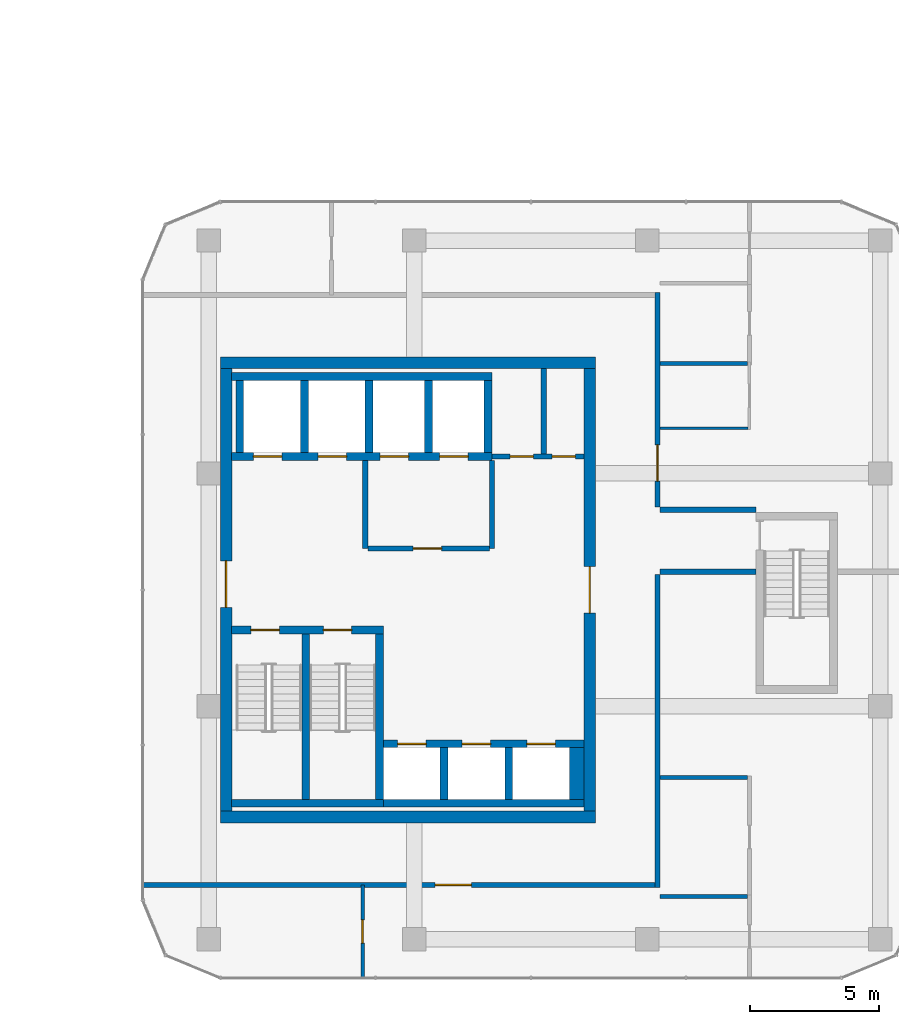
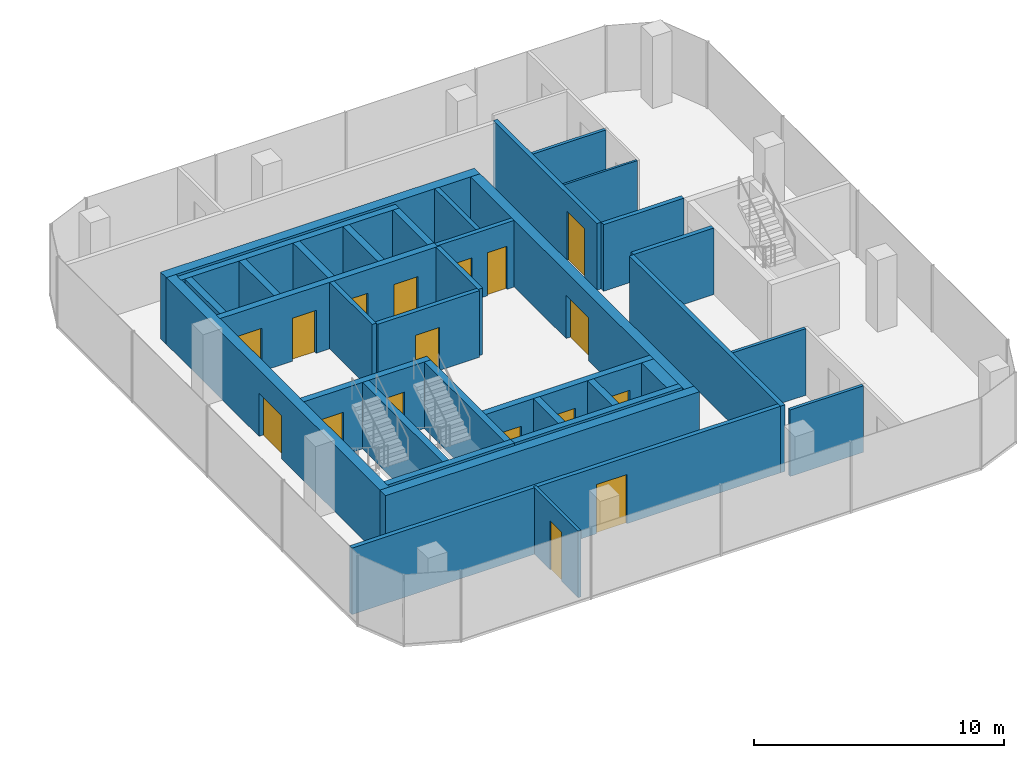
# One storey, part 17 of 22: 35 walls, 17 doors, 17 openings.
"""IFC4 building model written with IfcOpenShell, lengths in metres."""

import ifcopenshell
import ifcopenshell.guid

model = None  # the IFC model being written
_history = None  # IfcOwnerHistory: only IFC2X3 demands one
_inside = {}  # id of a spatial element -> (the spatial element, [elements in it])
_under = {}  # id of a project, library or spatial element -> (it, [spatial elements below it])
_declared = {}  # id of a project -> (the project, [libraries it declares])
_typed = {}  # id of a type object -> (the type object, [elements of that type])
_made_of = {}  # id of a material, layer set ... -> (it, [elements and type objects made of it])


def new_model(schema):
    """Start an empty IFC model of exactly this schema.

    Asked for "IFC4X3", IfcOpenShell would pick the latest addendum, in which some entities
    have other attributes; the version numbers below select the first issue.
    IFC2X3 requires an IfcOwnerHistory on every rooted entity: one is made here for all.
    """
    global model, _history
    if schema == "IFC4X3":
        model = ifcopenshell.file(schema_version=(4, 3, 0, 0))
    else:
        model = ifcopenshell.file(schema=schema)
    _inside.clear()
    _under.clear()
    _declared.clear()
    _typed.clear()
    _made_of.clear()
    _history = None
    if model.schema == "IFC2X3":
        org = make("IfcOrganization", Name="unknown")
        user = make(
            "IfcPersonAndOrganization",
            ThePerson=make("IfcPerson", FamilyName="unknown"),
            TheOrganization=org,
        )
        app = make(
            "IfcApplication",
            ApplicationDeveloper=org,
            Version="unknown",
            ApplicationFullName="unknown",
            ApplicationIdentifier="unknown",
        )
        _history = make(
            "IfcOwnerHistory",
            OwningUser=user,
            OwningApplication=app,
            ChangeAction="ADDED",
            CreationDate=0,
        )
    return model


def make(cls, **values):
    """One entity of the class cls with the attributes given. An attribute that is None is left unset."""
    return model.create_entity(
        cls, **{name: value for name, value in values.items() if value is not None}
    )


def rooted(cls, **values):
    """An entity with a GlobalId (a new one), such as an element, a storey or a relation."""
    return make(cls, GlobalId=ifcopenshell.guid.new(), OwnerHistory=_history, **values)


def si_unit(unit_type, name, prefix=None):
    """IfcSIUnit, for example si_unit("LENGTHUNIT", "METRE", prefix="MILLI")."""
    return make("IfcSIUnit", UnitType=unit_type, Prefix=prefix, Name=name)


def assignment(units):
    """IfcUnitAssignment: the units of a project."""
    return None if units is None else make("IfcUnitAssignment", Units=units)


def point(xyz):
    """IfcCartesianPoint."""
    return None if xyz is None else make("IfcCartesianPoint", Coordinates=xyz)


def direction(xyz):
    """IfcDirection."""
    return None if xyz is None else make("IfcDirection", DirectionRatios=xyz)


def frame(location, z_axis=None, x_axis=None):
    """IfcAxis2Placement3D, a coordinate frame: its origin and axes. An axis left out is left unset."""
    return make(
        "IfcAxis2Placement3D",
        Location=point(location),
        Axis=direction(z_axis),
        RefDirection=direction(x_axis),
    )


def frame_2d(location, x_axis=None):
    """IfcAxis2Placement2D, a coordinate frame in the plane: its origin and x axis."""
    return make(
        "IfcAxis2Placement2D", Location=point(location), RefDirection=direction(x_axis)
    )


def origin():
    """The frame at (0, 0, 0) with its axes left unset."""
    return frame((0.0, 0.0, 0.0))


def place(relative_to, where):
    """IfcLocalPlacement: puts the frame where relative to a parent placement (None: the world)."""
    return make(
        "IfcLocalPlacement", PlacementRelTo=relative_to, RelativePlacement=where
    )


def context(
    kind, dimensions, precision=None, world=None, true_north=None, identifier=None
):
    """IfcGeometricRepresentationContext, for example the 3D "Model" context."""
    return make(
        "IfcGeometricRepresentationContext",
        ContextIdentifier=identifier,
        ContextType=kind,
        CoordinateSpaceDimension=dimensions,
        Precision=precision,
        WorldCoordinateSystem=world,
        TrueNorth=true_north,
    )


def subcontext(parent, identifier, kind, view, scale=None):
    """IfcGeometricRepresentationSubContext, for example "Body" below "Model"."""
    return make(
        "IfcGeometricRepresentationSubContext",
        ContextIdentifier=identifier,
        ContextType=kind,
        ParentContext=parent,
        TargetScale=scale,
        TargetView=view,
    )


def project(units=None, contexts=None):
    """IfcProject with its units and contexts."""
    return rooted(
        "IfcProject",
        Name="project",
        RepresentationContexts=contexts,
        UnitsInContext=assignment(units),
    )


def spatial(cls, under=None, at=None, **own):
    """A site, building, storey or space (cls), placed at a placement, below another one or the project."""
    s = rooted(cls, ObjectPlacement=at, **own)
    if under is not None:
        _under.setdefault(under.id(), (under, []))[1].append(s)
    return s


def profile(cls, at=None, kind="AREA", **sizes):
    """A parametric profile (cls). Its sizes go by their IFC names, for example OverallWidth=200.0."""
    return make(cls, ProfileType=kind, Position=at, **sizes)


def rectangle(**sizes):
    """IfcRectangleProfileDef."""
    return profile("IfcRectangleProfileDef", **sizes)


def extrude(swept, where, along, depth):
    """IfcExtrudedAreaSolid: the profile swept, set in the frame where, extruded along a direction by depth."""
    return make(
        "IfcExtrudedAreaSolid",
        SweptArea=swept,
        Position=where,
        ExtrudedDirection=direction(along),
        Depth=depth,
    )


def shape(context_of_items, identifier, shape_type, items):
    """IfcShapeRepresentation: the items that make up one representation, for example the "Body"."""
    return make(
        "IfcShapeRepresentation",
        ContextOfItems=context_of_items,
        RepresentationIdentifier=identifier,
        RepresentationType=shape_type,
        Items=items,
    )


def material(Name=None, Category=None):
    """IfcMaterial."""
    return make("IfcMaterial", Name=Name, Category=Category)


def layer(
    of_material, thickness, ventilated=None, Name=None, Category=None, Priority=None
):
    """IfcMaterialLayer: one layer of a wall or slab, of a material (None: an air gap)."""
    return make(
        "IfcMaterialLayer",
        Material=of_material,
        LayerThickness=thickness,
        IsVentilated=ventilated,
        Name=Name,
        Category=Category,
        Priority=Priority,
    )


def layer_set(layers, Name=None):
    """IfcMaterialLayerSet."""
    return make("IfcMaterialLayerSet", MaterialLayers=layers, LayerSetName=Name)


def made_of(thing, what):
    """Note that an element or type object is made of a material, layer set ...; save() writes the relation."""
    if what is not None:
        _made_of.setdefault(what.id(), (what, []))[1].append(thing)
    return thing


def type_object(cls, material=None, **own):
    """A type object (cls), such as IfcWallType, which elements share."""
    return made_of(rooted(cls, **own), material)


def element(
    cls,
    number,
    at=None,
    inside=None,
    cuts=None,
    type_object=None,
    material=None,
    context=None,
    identifier="Body",
    shape_type=None,
    held_by="IfcProductDefinitionShape",
    body=None,
    shapes=None,
    **own,
):
    """One element of the class cls, such as IfcWall. Its Tag is "e" and its number.

    at: its placement. inside: the storey or other place that contains it. cuts: it is an
    opening in that element (IfcRelVoidsElement). A single representation is given by context,
    identifier, shape_type and body (its items); several are given by shapes. held_by: the class
    of the entity that holds the representations. save() writes the other relations.
    """
    e = rooted(cls, Tag="e%d" % number, ObjectPlacement=at, **own)
    if body is not None:
        shapes = [shape(context, identifier, shape_type, body)]
    if shapes is not None:
        e.Representation = make(held_by, Representations=shapes)
    if inside is not None:
        _inside.setdefault(inside.id(), (inside, []))[1].append(e)
    if cuts is not None:
        rooted(
            "IfcRelVoidsElement", RelatingBuildingElement=cuts, RelatedOpeningElement=e
        )
    if type_object is not None:
        _typed.setdefault(type_object.id(), (type_object, []))[1].append(e)
    return made_of(e, material)


def fill(opening, filler):
    """IfcRelFillsElement: the door or window that sits in an opening."""
    return rooted(
        "IfcRelFillsElement",
        RelatingOpeningElement=opening,
        RelatedBuildingElement=filler,
    )


def aggregate(whole, parts):
    """IfcRelAggregates: a whole, such as a stair, and the parts it consists of."""
    return rooted("IfcRelAggregates", RelatingObject=whole, RelatedObjects=parts)


def save(model, path):
    """Write the relations noted so far, then the file.

    IfcRelAggregates (storeys below a building ...), IfcRelContainedInSpatialStructure (elements
    in a storey), IfcRelDefinesByType, IfcRelAssociatesMaterial and IfcRelDeclares: one each for
    every whole, place, type object, material and project.
    """
    for whole, parts in _under.values():
        aggregate(whole, parts)
    for where, things in _inside.values():
        rooted(
            "IfcRelContainedInSpatialStructure",
            RelatedElements=things,
            RelatingStructure=where,
        )
    for kind, things in _typed.values():
        rooted("IfcRelDefinesByType", RelatedObjects=things, RelatingType=kind)
    for what, things in _made_of.values():
        rooted("IfcRelAssociatesMaterial", RelatedObjects=things, RelatingMaterial=what)
    for by, libraries in _declared.values():
        rooted("IfcRelDeclares", RelatingContext=by, RelatedDefinitions=libraries)
    model.write(path)


model = new_model("IFC4")

# Units and contexts
model_context = context("Model", 3, precision=1e-05, world=origin(), true_north=direction((0.0, 1.0)))
body_context = subcontext(model_context, "Body", "Model", "MODEL_VIEW")
ifc_project = project(units=[si_unit("LENGTHUNIT", "METRE"), si_unit("AREAUNIT", "SQUARE_METRE"), si_unit("VOLUMEUNIT", "CUBIC_METRE"), si_unit("PLANEANGLEUNIT", "RADIAN"), si_unit("MASSUNIT", "GRAM", prefix="KILO")], contexts=[model_context])

# Site, building, storey
site_placement = place(None, origin())
site = spatial("IfcSite", under=ifc_project, at=site_placement, CompositionType="ELEMENT")
building_placement = place(site_placement, origin())
building = spatial("IfcBuilding", under=site, at=building_placement, Name="Plateau Cross Towers", CompositionType="ELEMENT")
storey_placement = place(building_placement, frame((0.0, 0.0, 65.300048828125)))
storey = spatial("IfcBuildingStorey", under=building, at=storey_placement, Name="L16", CompositionType="ELEMENT", Elevation=65.300048828125)

# Wall
ifc_material_1 = material(Name="Concrete block, plastered both sides", Category="concrete")
ifc_layer_1 = layer(ifc_material_1, 0.199951171875)
ifc_layer_set_1 = layer_set([ifc_layer_1], Name="Concrete block, plastered both sides")
wall_type_1 = type_object("IfcWallType", Name="Core partition 200", PredefinedType="PARTITIONING", material=ifc_layer_set_1)
wall_1_placement = place(storey_placement, frame((80.60009765625, 10.60009765625, 0.0), z_axis=(0.0, 0.0, 1.0), x_axis=(0.0, 1.0, 0.0)))
element("IfcWall", 1, at=wall_1_placement, inside=storey, type_object=wall_type_1, Name="Core partition", PredefinedType="PARTITIONING", context=body_context, shape_type="SweptSolid", body=[
    extrude(rectangle(XDim=3.39990234375, YDim=0.199951171875, at=frame_2d((1.699951171875, 0.0))), origin(), (0.0, 0.0, 1.0), 3.25),
])

# Wall, opening, door
wall_2_placement = place(storey_placement, frame((80.699951171875, 10.60009765625, 0.0), z_axis=(0.0, 0.0, 1.0), x_axis=(1.0, 0.0, 0.0)))
wall_2 = element("IfcWall", 2, at=wall_2_placement, inside=storey, type_object=wall_type_1, Name="Core partition", PredefinedType="PARTITIONING", context=body_context, shape_type="SweptSolid", body=[
    extrude(rectangle(XDim=4.699951171875, YDim=0.199951171875, at=frame_2d((2.35009765625, 0.0))), origin(), (0.0, 0.0, 1.0), 3.25),
])
opening_1_placement = place(wall_2_placement, frame((1.75, 0.0, 0.0)))
opening_1 = element("IfcOpeningElement", 3, at=opening_1_placement, cuts=wall_2, Name="Opening FFD", PredefinedType="OPENING", context=body_context, shape_type="SweptSolid", body=[
    extrude(rectangle(XDim=1.10009765625, YDim=2.10009765625, at=frame_2d((0.550048828125, 1.050048828125))), frame((0.0, 0.10986328125, 0.0), z_axis=(0.0, -1.0, 0.0), x_axis=(1.0, 0.0, 0.0)), (0.0, 0.0, 1.0), 0.219970703125),
])
ifc_material_2 = material(Name="Steel, fire-resisting leaf", Category="steel")
door_type_1 = type_object("IfcDoorType", Name="Firefighting lobby door 1100", OperationType="NOTDEFINED", PredefinedType="DOOR", material=ifc_material_2)
door_1_placement = place(opening_1_placement, origin())
door_1 = element("IfcDoor", 4, at=door_1_placement, inside=storey, type_object=door_type_1, Name="Firefighting lobby door FFD", OperationType="SINGLE_SWING_LEFT", OverallHeight=2.10009765625, OverallWidth=1.10009765625, PredefinedType="DOOR", context=body_context, shape_type="SweptSolid", body=[
    extrude(rectangle(XDim=1.10009765625, YDim=2.10009765625, at=frame_2d((0.550048828125, 1.050048828125))), frame((0.0, 0.02490234375, 0.0), z_axis=(0.0, -1.0, 0.0), x_axis=(1.0, 0.0, 0.0)), (0.0, 0.0, 1.0), 0.050048828125),
])
fill(opening_1, door_1)

# Wall
wall_3_placement = place(storey_placement, frame((85.5, 10.60009765625, 0.0), z_axis=(0.0, 0.0, 1.0), x_axis=(0.0, 1.0, 0.0)))
element("IfcWall", 5, at=wall_3_placement, inside=storey, type_object=wall_type_1, Name="Core partition", PredefinedType="PARTITIONING", context=body_context, shape_type="SweptSolid", body=[
    extrude(rectangle(XDim=3.39990234375, YDim=0.199951171875, at=frame_2d((1.699951171875, 0.0))), origin(), (0.0, 0.0, 1.0), 3.25),
])

# Wall, openings, doors
wall_4_placement = place(storey_placement, frame((85.5, 14.14990234375, 0.0), z_axis=(0.0, 0.0, 1.0), x_axis=(1.0, 0.0, 0.0)))
wall_4 = element("IfcWall", 6, at=wall_4_placement, inside=storey, type_object=wall_type_1, Name="Core partition", PredefinedType="PARTITIONING", context=body_context, shape_type="SweptSolid", body=[
    extrude(rectangle(XDim=3.550048828125, YDim=0.199951171875, at=frame_2d((1.77490234375, 0.0))), origin(), (0.0, 0.0, 1.0), 3.25),
])
opening_2_placement = place(wall_4_placement, frame((0.699951171875, 0.0, 0.0)))
opening_2 = element("IfcOpeningElement", 7, at=opening_2_placement, cuts=wall_4, Name="Opening RD2", PredefinedType="OPENING", context=body_context, shape_type="SweptSolid", body=[
    extrude(rectangle(XDim=0.89990234375, YDim=2.10009765625, at=frame_2d((0.449951171875, 1.050048828125))), frame((0.0, 0.10986328125, 0.0), z_axis=(0.0, -1.0, 0.0), x_axis=(1.0, 0.0, 0.0)), (0.0, 0.0, 1.0), 0.219970703125),
])
opening_3_placement = place(wall_4_placement, frame((2.324951171875, 0.0, 0.0)))
opening_3 = element("IfcOpeningElement", 8, at=opening_3_placement, cuts=wall_4, Name="Opening RD2", PredefinedType="OPENING", context=body_context, shape_type="SweptSolid", body=[
    extrude(rectangle(XDim=0.89990234375, YDim=2.10009765625, at=frame_2d((0.449951171875, 1.050048828125))), frame((0.0, 0.10986328125, 0.0), z_axis=(0.0, -1.0, 0.0), x_axis=(1.0, 0.0, 0.0)), (0.0, 0.0, 1.0), 0.219970703125),
])
door_type_2 = type_object("IfcDoorType", Name="Core riser door 900", OperationType="NOTDEFINED", PredefinedType="DOOR", material=ifc_material_2)
door_2_placement = place(opening_2_placement, origin())
door_2 = element("IfcDoor", 9, at=door_2_placement, inside=storey, type_object=door_type_2, Name="Core riser door RD2", OperationType="SINGLE_SWING_LEFT", OverallHeight=2.10009765625, OverallWidth=0.89990234375, PredefinedType="DOOR", context=body_context, shape_type="SweptSolid", body=[
    extrude(rectangle(XDim=0.89990234375, YDim=2.10009765625, at=frame_2d((0.449951171875, 1.050048828125))), frame((0.0, 0.02490234375, 0.0), z_axis=(0.0, -1.0, 0.0), x_axis=(1.0, 0.0, 0.0)), (0.0, 0.0, 1.0), 0.050048828125),
])
fill(opening_2, door_2)
door_3_placement = place(opening_3_placement, origin())
door_3 = element("IfcDoor", 10, at=door_3_placement, inside=storey, type_object=door_type_2, Name="Core riser door RD2", OperationType="SINGLE_SWING_LEFT", OverallHeight=2.10009765625, OverallWidth=0.89990234375, PredefinedType="DOOR", context=body_context, shape_type="SweptSolid", body=[
    extrude(rectangle(XDim=0.89990234375, YDim=2.10009765625, at=frame_2d((0.449951171875, 1.050048828125))), frame((0.0, 0.02490234375, 0.0), z_axis=(0.0, -1.0, 0.0), x_axis=(1.0, 0.0, 0.0)), (0.0, 0.0, 1.0), 0.050048828125),
])
fill(opening_3, door_3)

# Walls
wall_5_placement = place(storey_placement, frame((87.5, 14.25, 0.0), z_axis=(0.0, 0.0, 1.0), x_axis=(0.0, 1.0, 0.0)))
element("IfcWall", 11, at=wall_5_placement, inside=storey, type_object=wall_type_1, Name="Core partition", PredefinedType="PARTITIONING", context=body_context, shape_type="SweptSolid", body=[
    extrude(rectangle(XDim=3.300048828125, YDim=0.199951171875, at=frame_2d((1.64990234375, 0.0))), origin(), (0.0, 0.0, 1.0), 3.25),
])
ifc_material_3 = material(Name="Concrete C60/75", Category="concrete")
ifc_layer_2 = layer(ifc_material_3, 0.300048828125)
ifc_layer_set_2 = layer_set([ifc_layer_2], Name="Concrete C60/75")
wall_type_2 = type_object("IfcWallType", Name="Core shaft wall 300", PredefinedType="SHEAR", material=ifc_layer_set_2)
wall_6_placement = place(storey_placement, frame((75.429931640625, 0.75, 0.0), z_axis=(0.0, 0.0, 1.0), x_axis=(1.0, 0.0, 0.0)))
element("IfcWall", 12, at=wall_6_placement, inside=storey, type_object=wall_type_2, Name="B-sb-stS@L16", PredefinedType="SHEAR", context=body_context, shape_type="SweptSolid", body=[
    extrude(rectangle(XDim=5.8701171875, YDim=0.300048828125, at=frame_2d((2.93505859375, 0.0))), origin(), (0.0, 0.0, 1.0), 3.25),
])

# Wall, openings, doors
wall_7_placement = place(storey_placement, frame((75.429931640625, 7.449951171875, 0.0), z_axis=(0.0, 0.0, 1.0), x_axis=(1.0, 0.0, 0.0)))
wall_7 = element("IfcWall", 13, at=wall_7_placement, inside=storey, type_object=wall_type_2, Name="B-sb-stN@L16", PredefinedType="SHEAR", context=body_context, shape_type="SweptSolid", body=[
    extrude(rectangle(XDim=5.8701171875, YDim=0.300048828125, at=frame_2d((2.93505859375, 0.0))), origin(), (0.0, 0.0, 1.0), 3.25),
])
opening_4_placement = place(wall_7_placement, frame((0.75, 0.0, 0.0)))
opening_4 = element("IfcOpeningElement", 14, at=opening_4_placement, cuts=wall_7, Name="Opening SD", PredefinedType="OPENING", context=body_context, shape_type="SweptSolid", body=[
    extrude(rectangle(XDim=1.10009765625, YDim=2.10009765625, at=frame_2d((0.550048828125, 1.050048828125))), frame((0.0, 0.159912109375, 0.0), z_axis=(0.0, -1.0, 0.0), x_axis=(1.0, 0.0, 0.0)), (0.0, 0.0, 1.0), 0.320068359375),
])
opening_5_placement = place(wall_7_placement, frame((3.550048828125, 0.0, 0.0)))
opening_5 = element("IfcOpeningElement", 15, at=opening_5_placement, cuts=wall_7, Name="Opening SD", PredefinedType="OPENING", context=body_context, shape_type="SweptSolid", body=[
    extrude(rectangle(XDim=1.10009765625, YDim=2.10009765625, at=frame_2d((0.550048828125, 1.050048828125))), frame((0.0, 0.159912109375, 0.0), z_axis=(0.0, -1.0, 0.0), x_axis=(1.0, 0.0, 0.0)), (0.0, 0.0, 1.0), 0.320068359375),
])
door_type_3 = type_object("IfcDoorType", Name="Stair door 1100", OperationType="NOTDEFINED", PredefinedType="DOOR", material=ifc_material_2)
door_4_placement = place(opening_4_placement, origin())
door_4 = element("IfcDoor", 16, at=door_4_placement, inside=storey, type_object=door_type_3, Name="Stair door SD", OperationType="SINGLE_SWING_RIGHT", OverallHeight=2.10009765625, OverallWidth=1.10009765625, PredefinedType="DOOR", context=body_context, shape_type="SweptSolid", body=[
    extrude(rectangle(XDim=1.10009765625, YDim=2.10009765625, at=frame_2d((0.550048828125, 1.050048828125))), frame((0.0, 0.02490234375, 0.0), z_axis=(0.0, -1.0, 0.0), x_axis=(1.0, 0.0, 0.0)), (0.0, 0.0, 1.0), 0.050048828125),
])
fill(opening_4, door_4)
door_5_placement = place(opening_5_placement, origin())
door_5 = element("IfcDoor", 17, at=door_5_placement, inside=storey, type_object=door_type_3, Name="Stair door SD", OperationType="SINGLE_SWING_LEFT", OverallHeight=2.10009765625, OverallWidth=1.10009765625, PredefinedType="DOOR", context=body_context, shape_type="SweptSolid", body=[
    extrude(rectangle(XDim=1.10009765625, YDim=2.10009765625, at=frame_2d((0.550048828125, 1.050048828125))), frame((0.0, 0.02490234375, 0.0), z_axis=(0.0, -1.0, 0.0), x_axis=(1.0, 0.0, 0.0)), (0.0, 0.0, 1.0), 0.050048828125),
])
fill(opening_5, door_5)

# Walls
for number, where, z_axis, x_axis, name in (
    (18, (78.300048828125, 0.89990234375, 0.0), (0.0, 0.0, 1.0), (0.0, 1.0, 0.0), "B-sb-st1@L16"),
    (19, (81.14990234375, 0.89990234375, 0.0), (0.0, 0.0, 1.0), (0.0, 1.0, 0.0), "B-sb-st2@L16"),
):
    element("IfcWall", number, at=place(storey_placement, frame(where, z_axis=z_axis, x_axis=x_axis)), inside=storey, type_object=wall_type_2, Name=name, PredefinedType="SHEAR", context=body_context, shape_type="SweptSolid", body=[
        extrude(rectangle(XDim=6.400146484375, YDim=0.300048828125, at=frame_2d((3.2001953125, 0.0))), origin(), (0.0, 0.0, 1.0), 3.25),
    ])
wall_8_placement = place(storey_placement, frame((81.300048828125, 0.75, 0.0), z_axis=(0.0, 0.0, 1.0), x_axis=(1.0, 0.0, 0.0)))
element("IfcWall", 20, at=wall_8_placement, inside=storey, type_object=wall_type_2, Name="B-sb-back@L16", PredefinedType="SHEAR", context=body_context, shape_type="SweptSolid", body=[
    extrude(rectangle(XDim=7.75, YDim=0.300048828125, at=frame_2d((3.875, 0.0))), origin(), (0.0, 0.0, 1.0), 3.25),
])
for number, where, z_axis, x_axis, name in (
    (21, (83.64990234375, 0.89990234375, 0.0), (0.0, 0.0, 1.0), (0.0, 1.0, 0.0), "B-sb-v1@L16"),
    (22, (86.14990234375, 0.89990234375, 0.0), (0.0, 0.0, 1.0), (0.0, 1.0, 0.0), "B-sb-v2@L16"),
):
    element("IfcWall", number, at=place(storey_placement, frame(where, z_axis=z_axis, x_axis=x_axis)), inside=storey, type_object=wall_type_2, Name=name, PredefinedType="SHEAR", context=body_context, shape_type="SweptSolid", body=[
        extrude(rectangle(XDim=2.0, YDim=0.300048828125, at=frame_2d((1.0, 0.0))), origin(), (0.0, 0.0, 1.0), 3.25),
    ])

# Wall, openings, doors
wall_9_placement = place(storey_placement, frame((81.300048828125, 3.050048828125, 0.0), z_axis=(0.0, 0.0, 1.0), x_axis=(1.0, 0.0, 0.0)))
wall_9 = element("IfcWall", 23, at=wall_9_placement, inside=storey, type_object=wall_type_2, Name="B-sb-front@L16", PredefinedType="SHEAR", context=body_context, shape_type="SweptSolid", body=[
    extrude(rectangle(XDim=7.75, YDim=0.300048828125, at=frame_2d((3.875, 0.0))), origin(), (0.0, 0.0, 1.0), 3.25),
])
opening_6_placement = place(wall_9_placement, frame((0.550048828125, 0.0, 0.0)))
opening_6 = element("IfcOpeningElement", 24, at=opening_6_placement, cuts=wall_9, Name="Opening LD", PredefinedType="OPENING", context=body_context, shape_type="SweptSolid", body=[
    extrude(rectangle(XDim=1.10009765625, YDim=2.10009765625, at=frame_2d((0.550048828125, 1.050048828125))), frame((0.0, 0.159912109375, 0.0), z_axis=(0.0, -1.0, 0.0), x_axis=(1.0, 0.0, 0.0)), (0.0, 0.0, 1.0), 0.320068359375),
])
opening_7_placement = place(wall_9_placement, frame((3.050048828125, 0.0, 0.0)))
opening_7 = element("IfcOpeningElement", 25, at=opening_7_placement, cuts=wall_9, Name="Opening LD", PredefinedType="OPENING", context=body_context, shape_type="SweptSolid", body=[
    extrude(rectangle(XDim=1.10009765625, YDim=2.10009765625, at=frame_2d((0.550048828125, 1.050048828125))), frame((0.0, 0.159912109375, 0.0), z_axis=(0.0, -1.0, 0.0), x_axis=(1.0, 0.0, 0.0)), (0.0, 0.0, 1.0), 0.320068359375),
])
opening_8_placement = place(wall_9_placement, frame((5.550048828125, 0.0, 0.0)))
opening_8 = element("IfcOpeningElement", 26, at=opening_8_placement, cuts=wall_9, Name="Opening LD", PredefinedType="OPENING", context=body_context, shape_type="SweptSolid", body=[
    extrude(rectangle(XDim=1.10009765625, YDim=2.10009765625, at=frame_2d((0.550048828125, 1.050048828125))), frame((0.0, 0.159912109375, 0.0), z_axis=(0.0, -1.0, 0.0), x_axis=(1.0, 0.0, 0.0)), (0.0, 0.0, 1.0), 0.320068359375),
])
ifc_material_4 = material(Name="Stainless steel, fire-resisting sliding leaves", Category="steel")
door_type_4 = type_object("IfcDoorType", Name="Lift landing door 1100", OperationType="NOTDEFINED", PredefinedType="DOOR", material=ifc_material_4)
door_6_placement = place(opening_6_placement, origin())
door_6 = element("IfcDoor", 27, at=door_6_placement, inside=storey, type_object=door_type_4, Name="Lift landing door LD", OperationType="DOUBLE_DOOR_SLIDING", OverallHeight=2.10009765625, OverallWidth=1.10009765625, PredefinedType="DOOR", context=body_context, shape_type="SweptSolid", body=[
    extrude(rectangle(XDim=1.10009765625, YDim=2.10009765625, at=frame_2d((0.550048828125, 1.050048828125))), frame((0.0, 0.02490234375, 0.0), z_axis=(0.0, -1.0, 0.0), x_axis=(1.0, 0.0, 0.0)), (0.0, 0.0, 1.0), 0.050048828125),
])
fill(opening_6, door_6)
door_7_placement = place(opening_7_placement, origin())
door_7 = element("IfcDoor", 28, at=door_7_placement, inside=storey, type_object=door_type_4, Name="Lift landing door LD", OperationType="DOUBLE_DOOR_SLIDING", OverallHeight=2.10009765625, OverallWidth=1.10009765625, PredefinedType="DOOR", context=body_context, shape_type="SweptSolid", body=[
    extrude(rectangle(XDim=1.10009765625, YDim=2.10009765625, at=frame_2d((0.550048828125, 1.050048828125))), frame((0.0, 0.02490234375, 0.0), z_axis=(0.0, -1.0, 0.0), x_axis=(1.0, 0.0, 0.0)), (0.0, 0.0, 1.0), 0.050048828125),
])
fill(opening_7, door_7)
door_8_placement = place(opening_8_placement, origin())
door_8 = element("IfcDoor", 29, at=door_8_placement, inside=storey, type_object=door_type_4, Name="Lift landing door LD", OperationType="DOUBLE_DOOR_SLIDING", OverallHeight=2.10009765625, OverallWidth=1.10009765625, PredefinedType="DOOR", context=body_context, shape_type="SweptSolid", body=[
    extrude(rectangle(XDim=1.10009765625, YDim=2.10009765625, at=frame_2d((0.550048828125, 1.050048828125))), frame((0.0, 0.02490234375, 0.0), z_axis=(0.0, -1.0, 0.0), x_axis=(1.0, 0.0, 0.0)), (0.0, 0.0, 1.0), 0.050048828125),
])
fill(opening_8, door_8)

# Wall
wall_10_placement = place(storey_placement, frame((75.429931640625, 17.25, 0.0), z_axis=(0.0, 0.0, 1.0), x_axis=(1.0, 0.0, 0.0)))
element("IfcWall", 30, at=wall_10_placement, inside=storey, type_object=wall_type_2, Name="B-nb-back@L16", PredefinedType="SHEAR", context=body_context, shape_type="SweptSolid", body=[
    extrude(rectangle(XDim=10.070068359375, YDim=0.300048828125, at=frame_2d((5.03515625, 0.0))), origin(), (0.0, 0.0, 1.0), 3.25),
])

# Wall, openings, doors
wall_11_placement = place(storey_placement, frame((75.429931640625, 14.14990234375, 0.0), z_axis=(0.0, 0.0, 1.0), x_axis=(1.0, 0.0, 0.0)))
wall_11 = element("IfcWall", 31, at=wall_11_placement, inside=storey, type_object=wall_type_2, Name="B-nb-front@L16", PredefinedType="SHEAR", context=body_context, shape_type="SweptSolid", body=[
    extrude(rectangle(XDim=10.070068359375, YDim=0.300048828125, at=frame_2d((5.03515625, 0.0))), origin(), (0.0, 0.0, 1.0), 3.25),
])
opening_9_placement = place(wall_11_placement, frame((0.85009765625, 0.0, 0.0)))
opening_9 = element("IfcOpeningElement", 32, at=opening_9_placement, cuts=wall_11, Name="Opening LD", PredefinedType="OPENING", context=body_context, shape_type="SweptSolid", body=[
    extrude(rectangle(XDim=1.10009765625, YDim=2.10009765625, at=frame_2d((0.550048828125, 1.050048828125))), frame((0.0, 0.159912109375, 0.0), z_axis=(0.0, -1.0, 0.0), x_axis=(1.0, 0.0, 0.0)), (0.0, 0.0, 1.0), 0.320068359375),
])
opening_10_placement = place(wall_11_placement, frame((3.35009765625, 0.0, 0.0)))
opening_10 = element("IfcOpeningElement", 33, at=opening_10_placement, cuts=wall_11, Name="Opening LD", PredefinedType="OPENING", context=body_context, shape_type="SweptSolid", body=[
    extrude(rectangle(XDim=1.10009765625, YDim=2.10009765625, at=frame_2d((0.550048828125, 1.050048828125))), frame((0.0, 0.159912109375, 0.0), z_axis=(0.0, -1.0, 0.0), x_axis=(1.0, 0.0, 0.0)), (0.0, 0.0, 1.0), 0.320068359375),
])
opening_11_placement = place(wall_11_placement, frame((5.75, 0.0, 0.0)))
opening_11 = element("IfcOpeningElement", 34, at=opening_11_placement, cuts=wall_11, Name="Opening LD", PredefinedType="OPENING", context=body_context, shape_type="SweptSolid", body=[
    extrude(rectangle(XDim=1.10009765625, YDim=2.10009765625, at=frame_2d((0.550048828125, 1.050048828125))), frame((0.0, 0.159912109375, 0.0), z_axis=(0.0, -1.0, 0.0), x_axis=(1.0, 0.0, 0.0)), (0.0, 0.0, 1.0), 0.320068359375),
])
opening_12_placement = place(wall_11_placement, frame((8.050048828125, 0.0, 0.0)))
opening_12 = element("IfcOpeningElement", 35, at=opening_12_placement, cuts=wall_11, Name="Opening LD", PredefinedType="OPENING", context=body_context, shape_type="SweptSolid", body=[
    extrude(rectangle(XDim=1.10009765625, YDim=2.10009765625, at=frame_2d((0.550048828125, 1.050048828125))), frame((0.0, 0.159912109375, 0.0), z_axis=(0.0, -1.0, 0.0), x_axis=(1.0, 0.0, 0.0)), (0.0, 0.0, 1.0), 0.320068359375),
])
door_9_placement = place(opening_9_placement, origin())
door_9 = element("IfcDoor", 36, at=door_9_placement, inside=storey, type_object=door_type_4, Name="Lift landing door LD", OperationType="DOUBLE_DOOR_SLIDING", OverallHeight=2.10009765625, OverallWidth=1.10009765625, PredefinedType="DOOR", context=body_context, shape_type="SweptSolid", body=[
    extrude(rectangle(XDim=1.10009765625, YDim=2.10009765625, at=frame_2d((0.550048828125, 1.050048828125))), frame((0.0, 0.02490234375, 0.0), z_axis=(0.0, -1.0, 0.0), x_axis=(1.0, 0.0, 0.0)), (0.0, 0.0, 1.0), 0.050048828125),
])
fill(opening_9, door_9)
door_10_placement = place(opening_10_placement, origin())
door_10 = element("IfcDoor", 37, at=door_10_placement, inside=storey, type_object=door_type_4, Name="Lift landing door LD", OperationType="DOUBLE_DOOR_SLIDING", OverallHeight=2.10009765625, OverallWidth=1.10009765625, PredefinedType="DOOR", context=body_context, shape_type="SweptSolid", body=[
    extrude(rectangle(XDim=1.10009765625, YDim=2.10009765625, at=frame_2d((0.550048828125, 1.050048828125))), frame((0.0, 0.02490234375, 0.0), z_axis=(0.0, -1.0, 0.0), x_axis=(1.0, 0.0, 0.0)), (0.0, 0.0, 1.0), 0.050048828125),
])
fill(opening_10, door_10)
door_11_placement = place(opening_11_placement, origin())
door_11 = element("IfcDoor", 38, at=door_11_placement, inside=storey, type_object=door_type_4, Name="Lift landing door LD", OperationType="DOUBLE_DOOR_SLIDING", OverallHeight=2.10009765625, OverallWidth=1.10009765625, PredefinedType="DOOR", context=body_context, shape_type="SweptSolid", body=[
    extrude(rectangle(XDim=1.10009765625, YDim=2.10009765625, at=frame_2d((0.550048828125, 1.050048828125))), frame((0.0, 0.02490234375, 0.0), z_axis=(0.0, -1.0, 0.0), x_axis=(1.0, 0.0, 0.0)), (0.0, 0.0, 1.0), 0.050048828125),
])
fill(opening_11, door_11)
door_12_placement = place(opening_12_placement, origin())
door_12 = element("IfcDoor", 39, at=door_12_placement, inside=storey, type_object=door_type_4, Name="Lift landing door LD", OperationType="DOUBLE_DOOR_SLIDING", OverallHeight=2.10009765625, OverallWidth=1.10009765625, PredefinedType="DOOR", context=body_context, shape_type="SweptSolid", body=[
    extrude(rectangle(XDim=1.10009765625, YDim=2.10009765625, at=frame_2d((0.550048828125, 1.050048828125))), frame((0.0, 0.02490234375, 0.0), z_axis=(0.0, -1.0, 0.0), x_axis=(1.0, 0.0, 0.0)), (0.0, 0.0, 1.0), 0.050048828125),
])
fill(opening_12, door_12)

# Walls
for number, where, z_axis, x_axis, name in (
    (40, (75.75, 14.300048828125, 0.0), (0.0, 0.0, 1.0), (0.0, 1.0, 0.0), "B-nb-v0@L16"),
    (41, (78.25, 14.300048828125, 0.0), (0.0, 0.0, 1.0), (0.0, 1.0, 0.0), "B-nb-v1@L16"),
    (42, (80.75, 14.300048828125, 0.0), (0.0, 0.0, 1.0), (0.0, 1.0, 0.0), "B-nb-v2@L16"),
    (43, (83.050048828125, 14.300048828125, 0.0), (0.0, 0.0, 1.0), (0.0, 1.0, 0.0), "B-nb-v3@L16"),
    (44, (85.35009765625, 14.300048828125, 0.0), (0.0, 0.0, 1.0), (0.0, 1.0, 0.0), "B-nb-v4@L16"),
):
    element("IfcWall", number, at=place(storey_placement, frame(where, z_axis=z_axis, x_axis=x_axis)), inside=storey, type_object=wall_type_2, Name=name, PredefinedType="SHEAR", context=body_context, shape_type="SweptSolid", body=[
        extrude(rectangle(XDim=2.800048828125, YDim=0.300048828125, at=frame_2d((1.39990234375, 0.0))), origin(), (0.0, 0.0, 1.0), 3.25),
    ])
ifc_layer_3 = layer(ifc_material_3, 0.550048828125)
ifc_layer_set_3 = layer_set([ifc_layer_3], Name="Concrete C60/75")
wall_type_3 = type_object("IfcWallType", Name="Core shaft wall 550", PredefinedType="SHEAR", material=ifc_layer_set_3)
wall_12_placement = place(storey_placement, frame((88.77490234375, 0.89990234375, 0.0), z_axis=(0.0, 0.0, 1.0), x_axis=(0.0, 1.0, 0.0)))
element("IfcWall", 45, at=wall_12_placement, inside=storey, type_object=wall_type_3, Name="B-sb-v3@L16", PredefinedType="SHEAR", context=body_context, shape_type="SweptSolid", body=[
    extrude(rectangle(XDim=2.0, YDim=0.550048828125, at=frame_2d((1.0, 0.0))), origin(), (0.0, 0.0, 1.0), 3.25),
])
ifc_layer_4 = layer(ifc_material_3, 0.449951171875)
ifc_layer_set_4 = layer_set([ifc_layer_4], Name="Concrete C60/75")
wall_type_4 = type_object("IfcWallType", Name="Core shell wall 450", PredefinedType="SHEAR", material=ifc_layer_set_4)
for number, where, z_axis, x_axis, name in (
    (46, (75.0, 0.22509765625, 0.0), (0.0, 0.0, 1.0), (1.0, 0.0, 0.0), "B-core-S@L16"),
    (47, (75.0, 17.77490234375, 0.0), (0.0, 0.0, 1.0), (1.0, 0.0, 0.0), "B-core-N@L16"),
):
    element("IfcWall", number, at=place(storey_placement, frame(where, z_axis=z_axis, x_axis=x_axis)), inside=storey, type_object=wall_type_4, Name=name, PredefinedType="SHEAR", context=body_context, shape_type="SweptSolid", body=[
        extrude(rectangle(XDim=14.5, YDim=0.449951171875, at=frame_2d((7.25, 0.0))), origin(), (0.0, 0.0, 1.0), 3.25),
    ])

# Wall, opening, door
wall_13_placement = place(storey_placement, frame((75.22509765625, 0.449951171875, 0.0), z_axis=(0.0, 0.0, 1.0), x_axis=(0.0, 1.0, 0.0)))
wall_13 = element("IfcWall", 48, at=wall_13_placement, inside=storey, type_object=wall_type_4, Name="B-core-W@L16", PredefinedType="SHEAR", context=body_context, shape_type="SweptSolid", body=[
    extrude(rectangle(XDim=17.10009765625, YDim=0.449951171875, at=frame_2d((8.550048828125, 0.0))), origin(), (0.0, 0.0, 1.0), 3.25),
])
opening_13_placement = place(wall_13_placement, frame((7.875, 0.0, 0.0)))
opening_13 = element("IfcOpeningElement", 49, at=opening_13_placement, cuts=wall_13, Name="Opening CD", PredefinedType="OPENING", context=body_context, shape_type="SweptSolid", body=[
    extrude(rectangle(XDim=1.800048828125, YDim=2.10009765625, at=frame_2d((0.89990234375, 1.050048828125))), frame((0.0, 0.23486328125, 0.0), z_axis=(0.0, -1.0, 0.0), x_axis=(1.0, 0.0, 0.0)), (0.0, 0.0, 1.0), 0.469970703125),
])
ifc_material_5 = material(Name="Steel, fire-resisting leaves", Category="steel")
door_type_5 = type_object("IfcDoorType", Name="Corridor door pair 1800", OperationType="NOTDEFINED", PredefinedType="DOOR", material=ifc_material_5)
door_13_placement = place(opening_13_placement, origin())
door_13 = element("IfcDoor", 50, at=door_13_placement, inside=storey, type_object=door_type_5, Name="Corridor door pair CD", OperationType="DOUBLE_DOOR_SINGLE_SWING", OverallHeight=2.10009765625, OverallWidth=1.800048828125, PredefinedType="DOOR", context=body_context, shape_type="SweptSolid", body=[
    extrude(rectangle(XDim=1.800048828125, YDim=2.10009765625, at=frame_2d((0.89990234375, 1.050048828125))), frame((0.0, 0.02490234375, 0.0), z_axis=(0.0, -1.0, 0.0), x_axis=(1.0, 0.0, 0.0)), (0.0, 0.0, 1.0), 0.050048828125),
])
fill(opening_13, door_13)

wall_14_placement = place(storey_placement, frame((89.27490234375, 0.449951171875, 0.0), z_axis=(0.0, 0.0, 1.0), x_axis=(0.0, 1.0, 0.0)))
wall_14 = element("IfcWall", 51, at=wall_14_placement, inside=storey, type_object=wall_type_4, Name="B-core-E@L16", PredefinedType="SHEAR", context=body_context, shape_type="SweptSolid", body=[
    extrude(rectangle(XDim=17.10009765625, YDim=0.449951171875, at=frame_2d((8.550048828125, 0.0))), origin(), (0.0, 0.0, 1.0), 3.25),
])
opening_14_placement = place(wall_14_placement, frame((7.64990234375, 0.0, 0.0)))
opening_14 = element("IfcOpeningElement", 52, at=opening_14_placement, cuts=wall_14, Name="Opening CD", PredefinedType="OPENING", context=body_context, shape_type="SweptSolid", body=[
    extrude(rectangle(XDim=1.800048828125, YDim=2.10009765625, at=frame_2d((0.89990234375, 1.050048828125))), frame((0.0, 0.23486328125, 0.0), z_axis=(0.0, -1.0, 0.0), x_axis=(1.0, 0.0, 0.0)), (0.0, 0.0, 1.0), 0.469970703125),
])
door_14_placement = place(opening_14_placement, origin())
door_14 = element("IfcDoor", 53, at=door_14_placement, inside=storey, type_object=door_type_5, Name="Corridor door pair CD", OperationType="DOUBLE_DOOR_SINGLE_SWING", OverallHeight=2.10009765625, OverallWidth=1.800048828125, PredefinedType="DOOR", context=body_context, shape_type="SweptSolid", body=[
    extrude(rectangle(XDim=1.800048828125, YDim=2.10009765625, at=frame_2d((0.89990234375, 1.050048828125))), frame((0.0, 0.02490234375, 0.0), z_axis=(0.0, -1.0, 0.0), x_axis=(1.0, 0.0, 0.0)), (0.0, 0.0, 1.0), 0.050048828125),
])
fill(opening_14, door_14)

ifc_material_6 = material(Name="Gypsum board on steel studs, two layers each side", Category="steel")
ifc_layer_5 = layer(ifc_material_6, 0.199951171875)
ifc_layer_set_5 = layer_set([ifc_layer_5], Name="Gypsum board on steel studs, two layers each side")
wall_type_5 = type_object("IfcWallType", Name="Corridor wall 200", PredefinedType="PARTITIONING", material=ifc_layer_set_5)
wall_15_placement = place(storey_placement, frame((72.0, -2.39990234375, 0.0), z_axis=(0.0, 0.0, 1.0), x_axis=(1.0, 0.0, 0.0)))
wall_15 = element("IfcWall", 54, at=wall_15_placement, inside=storey, type_object=wall_type_5, Name="Ring wall", PredefinedType="PARTITIONING", context=body_context, shape_type="SweptSolid", body=[
    extrude(rectangle(XDim=20.0, YDim=0.199951171875, at=frame_2d((10.0, 0.0))), origin(), (0.0, 0.0, 1.0), 3.25),
])
opening_15_placement = place(wall_15_placement, frame((11.300048828125, 0.0, 0.0)))
opening_15 = element("IfcOpeningElement", 55, at=opening_15_placement, cuts=wall_15, Name="Opening D-BE14", PredefinedType="OPENING", context=body_context, shape_type="SweptSolid", body=[
    extrude(rectangle(XDim=1.39990234375, YDim=2.39990234375, at=frame_2d((0.699951171875, 1.199951171875))), frame((0.0, 0.10986328125, 0.0), z_axis=(0.0, -1.0, 0.0), x_axis=(1.0, 0.0, 0.0)), (0.0, 0.0, 1.0), 0.219970703125),
])
ifc_material_7 = material(Name="Timber, fire-resisting leaves", Category="wood")
door_type_6 = type_object("IfcDoorType", Name="Tenant entrance double-leaf 1400x2400", OperationType="NOTDEFINED", PredefinedType="DOOR", material=ifc_material_7)
door_15_placement = place(opening_15_placement, origin())
door_15 = element("IfcDoor", 56, at=door_15_placement, inside=storey, type_object=door_type_6, Name="Door D-BE14", OperationType="DOUBLE_DOOR_SINGLE_SWING", OverallHeight=2.39990234375, OverallWidth=1.39990234375, PredefinedType="DOOR", context=body_context, shape_type="SweptSolid", body=[
    extrude(rectangle(XDim=1.39990234375, YDim=2.39990234375, at=frame_2d((0.699951171875, 1.199951171875))), frame((0.0, 0.02490234375, 0.0), z_axis=(0.0, -1.0, 0.0), x_axis=(1.0, 0.0, 0.0)), (0.0, 0.0, 1.0), 0.050048828125),
])
fill(opening_15, door_15)

# Wall
wall_16_placement = place(storey_placement, frame((91.89990234375, -2.5, 0.0), z_axis=(0.0, 0.0, 1.0), x_axis=(0.0, 1.0, 0.0)))
element("IfcWall", 57, at=wall_16_placement, inside=storey, type_object=wall_type_5, Name="Ring wall", PredefinedType="PARTITIONING", context=body_context, shape_type="SweptSolid", body=[
    extrude(rectangle(XDim=12.10009765625, YDim=0.199951171875, at=frame_2d((6.050048828125, 0.0))), origin(), (0.0, 0.0, 1.0), 3.25),
])

# Wall, opening, door
wall_17_placement = place(storey_placement, frame((91.89990234375, 12.199951171875, 0.0), z_axis=(0.0, 0.0, 1.0), x_axis=(0.0, 1.0, 0.0)))
wall_17 = element("IfcWall", 58, at=wall_17_placement, inside=storey, type_object=wall_type_5, Name="Ring wall", PredefinedType="PARTITIONING", context=body_context, shape_type="SweptSolid", body=[
    extrude(rectangle(XDim=8.300048828125, YDim=0.199951171875, at=frame_2d((4.14990234375, 0.0))), origin(), (0.0, 0.0, 1.0), 3.25),
])
opening_16_placement = place(wall_17_placement, frame((1.0, 0.0, 0.0)))
opening_16 = element("IfcOpeningElement", 59, at=opening_16_placement, cuts=wall_17, Name="Opening D-BE14", PredefinedType="OPENING", context=body_context, shape_type="SweptSolid", body=[
    extrude(rectangle(XDim=1.39990234375, YDim=2.39990234375, at=frame_2d((0.699951171875, 1.199951171875))), frame((0.0, 0.10986328125, 0.0), z_axis=(0.0, -1.0, 0.0), x_axis=(1.0, 0.0, 0.0)), (0.0, 0.0, 1.0), 0.219970703125),
])
door_16_placement = place(opening_16_placement, origin())
door_16 = element("IfcDoor", 60, at=door_16_placement, inside=storey, type_object=door_type_6, Name="Door D-BE14", OperationType="DOUBLE_DOOR_SINGLE_SWING", OverallHeight=2.39990234375, OverallWidth=1.39990234375, PredefinedType="DOOR", context=body_context, shape_type="SweptSolid", body=[
    extrude(rectangle(XDim=1.39990234375, YDim=2.39990234375, at=frame_2d((0.699951171875, 1.199951171875))), frame((0.0, 0.02490234375, 0.0), z_axis=(0.0, -1.0, 0.0), x_axis=(1.0, 0.0, 0.0)), (0.0, 0.0, 1.0), 0.050048828125),
])
fill(opening_16, door_16)

# Walls
for number, where, z_axis, x_axis, name in (
    (61, (92.0, 9.699951171875, 0.0), (0.0, 0.0, 1.0), (1.0, 0.0, 0.0), "Ring wall"),
    (62, (92.0, 12.10009765625, 0.0), (0.0, 0.0, 1.0), (1.0, 0.0, 0.0), "Ring wall"),
):
    element("IfcWall", number, at=place(storey_placement, frame(where, z_axis=z_axis, x_axis=x_axis)), inside=storey, type_object=wall_type_5, Name=name, PredefinedType="PARTITIONING", context=body_context, shape_type="SweptSolid", body=[
        extrude(rectangle(XDim=3.699951171875, YDim=0.199951171875, at=frame_2d((1.85009765625, 0.0))), origin(), (0.0, 0.0, 1.0), 3.25),
    ])

# Wall, opening, door
ifc_material_8 = material(Name="Gypsum board on staggered steel studs, mineral wool, two layers each side", Category="steel")
ifc_layer_6 = layer(ifc_material_8, 0.139892578125)
ifc_layer_set_6 = layer_set([ifc_layer_6], Name="Gypsum board on staggered steel studs, mineral wool, two layers each side")
wall_type_6 = type_object("IfcWallType", Name="Meeting room acoustic partition 140", PredefinedType="PARTITIONING", material=ifc_layer_set_6)
wall_18_placement = place(storey_placement, frame((80.5, -6.0, 0.0), z_axis=(0.0, 0.0, 1.0), x_axis=(0.0, 1.0, 0.0)))
wall_18 = element("IfcWall", 63, at=wall_18_placement, inside=storey, type_object=wall_type_6, Name="Acoustic wall", PredefinedType="PARTITIONING", context=body_context, shape_type="SweptSolid", body=[
    extrude(rectangle(XDim=3.60009765625, YDim=0.139892578125, at=frame_2d((1.800048828125, 0.0))), origin(), (0.0, 0.0, 1.0), 3.25),
])
opening_17_placement = place(wall_18_placement, frame((1.35009765625, 0.0, 0.0)))
opening_17 = element("IfcOpeningElement", 64, at=opening_17_placement, cuts=wall_18, Name="Opening D-BM9", PredefinedType="OPENING", context=body_context, shape_type="SweptSolid", body=[
    extrude(rectangle(XDim=0.89990234375, YDim=2.39990234375, at=frame_2d((0.449951171875, 1.199951171875))), frame((0.0, 0.079833984375, 0.0), z_axis=(0.0, -1.0, 0.0), x_axis=(1.0, 0.0, 0.0)), (0.0, 0.0, 1.0), 0.159912109375),
])
ifc_material_9 = material(Name="Timber leaf, full height", Category="wood")
door_type_7 = type_object("IfcDoorType", Name="Meeting room door 900x2400", OperationType="NOTDEFINED", PredefinedType="DOOR", material=ifc_material_9)
door_17_placement = place(opening_17_placement, origin())
door_17 = element("IfcDoor", 65, at=door_17_placement, inside=storey, type_object=door_type_7, Name="Door D-BM9", OperationType="SINGLE_SWING_LEFT", OverallHeight=2.39990234375, OverallWidth=0.89990234375, PredefinedType="DOOR", context=body_context, shape_type="SweptSolid", body=[
    extrude(rectangle(XDim=0.89990234375, YDim=2.39990234375, at=frame_2d((0.449951171875, 1.199951171875))), frame((0.0, 0.02490234375, 0.0), z_axis=(0.0, -1.0, 0.0), x_axis=(1.0, 0.0, 0.0)), (0.0, 0.0, 1.0), 0.050048828125),
])
fill(opening_17, door_17)

# Walls
for number, where, z_axis, x_axis, name in (
    (66, (92.0, -2.85009765625, 0.0), (0.0, 0.0, 1.0), (1.0, 0.0, 0.0), "Acoustic wall"),
    (67, (92.0, 1.75, 0.0), (0.0, 0.0, 1.0), (1.0, 0.0, 0.0), "Acoustic wall"),
    (68, (92.0, 17.75, 0.0), (0.0, 0.0, 1.0), (1.0, 0.0, 0.0), "Acoustic wall"),
):
    element("IfcWall", number, at=place(storey_placement, frame(where, z_axis=z_axis, x_axis=x_axis)), inside=storey, type_object=wall_type_6, Name=name, PredefinedType="PARTITIONING", context=body_context, shape_type="SweptSolid", body=[
        extrude(rectangle(XDim=3.3798828125, YDim=0.139892578125, at=frame_2d((1.68994140625, 0.0))), origin(), (0.0, 0.0, 1.0), 3.25),
    ])
ifc_material_10 = material(Name="Gypsum board on steel studs", Category="steel")
ifc_layer_7 = layer(ifc_material_10, 0.10009765625)
ifc_layer_set_7 = layer_set([ifc_layer_7], Name="Gypsum board on steel studs")
wall_type_7 = type_object("IfcWallType", Name="Office partition 100", PredefinedType="PARTITIONING", material=ifc_layer_set_7)
wall_19_placement = place(storey_placement, frame((92.0, 15.25, 0.0), z_axis=(0.0, 0.0, 1.0), x_axis=(1.0, 0.0, 0.0)))
element("IfcWall", 69, at=wall_19_placement, inside=storey, type_object=wall_type_7, Name="Part wall", PredefinedType="PARTITIONING", context=body_context, shape_type="SweptSolid", body=[
    extrude(rectangle(XDim=3.39990234375, YDim=0.10009765625, at=frame_2d((1.699951171875, 0.0))), origin(), (0.0, 0.0, 1.0), 3.25),
])

save(model, "model.ifc")
